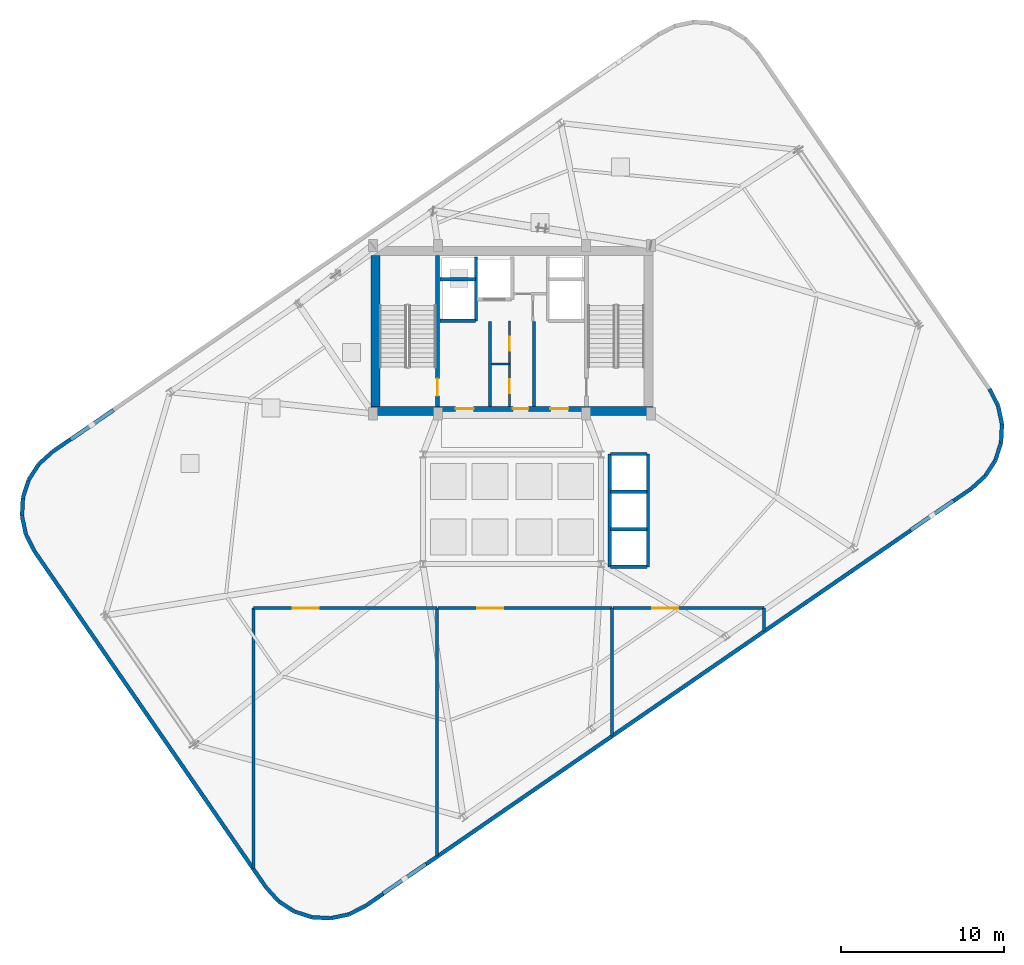
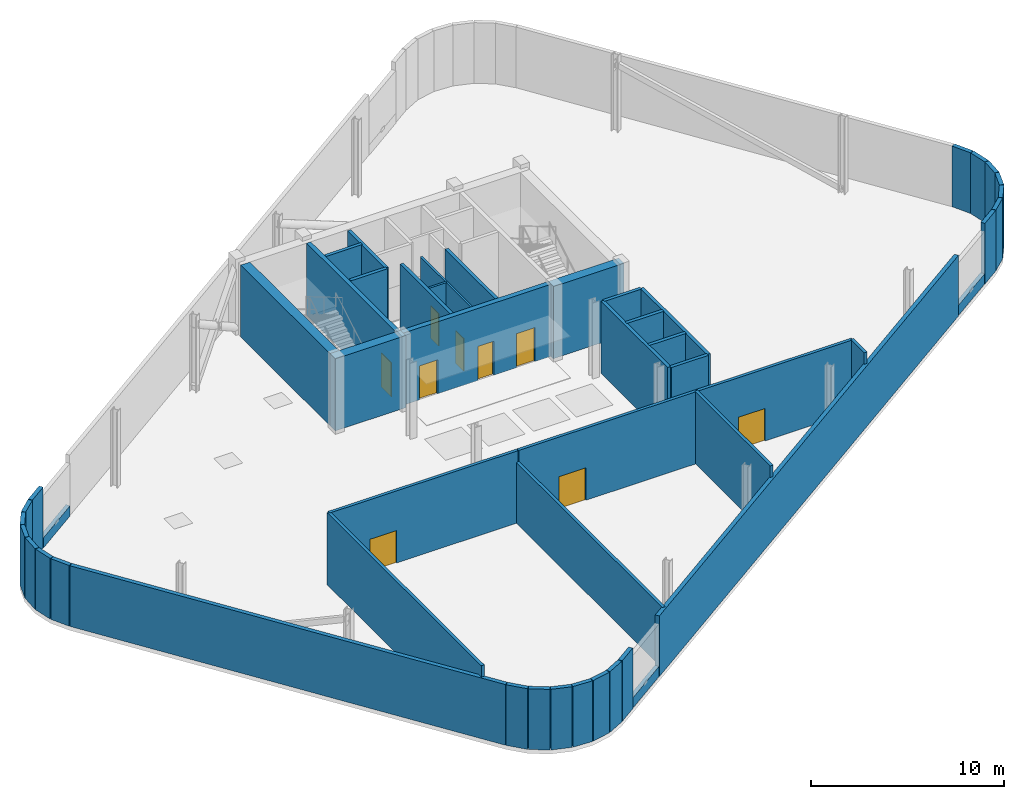
# One storey, part 6 of 9: 51 walls, 9 doors, 9 openings.
"""IFC4 building model written with IfcOpenShell, lengths in metres."""

from ifc_helpers import new_model, si_unit, direction, frame, frame_2d, origin, place, context, subcontext, project, spatial, rectangle, extrude, material, layer, layer_set, type_object, element, fill, save


model = new_model("IFC4")

# Units and contexts
model_context = context("Model", 3, precision=1e-05, world=origin(), true_north=direction((0.0, 1.0)))
body_context = subcontext(model_context, "Body", "Model", "MODEL_VIEW")
ifc_project = project(units=[si_unit("LENGTHUNIT", "METRE"), si_unit("AREAUNIT", "SQUARE_METRE"), si_unit("VOLUMEUNIT", "CUBIC_METRE"), si_unit("PLANEANGLEUNIT", "RADIAN"), si_unit("MASSUNIT", "GRAM", prefix="KILO")], contexts=[model_context])

# Site, building, storey
site_placement = place(None, origin())
site = spatial("IfcSite", under=ifc_project, at=site_placement, CompositionType="ELEMENT")
building_placement = place(site_placement, origin())
building = spatial("IfcBuilding", under=site, at=building_placement, Name="Varnelok Gate Tower", CompositionType="ELEMENT")
storey_placement = place(building_placement, frame((0.0, 0.0, 301.10009765625)))
storey = spatial("IfcBuildingStorey", under=building, at=storey_placement, Name="L77", CompositionType="ELEMENT", Elevation=301.10009765625)

# Walls
ifc_material_1 = material(Name="Concrete C45/55", Category="concrete")
ifc_layer_1 = layer(ifc_material_1, 0.239990234375)
ifc_layer_set_1 = layer_set([ifc_layer_1], Name="Concrete C45/55")
wall_type_1 = type_object("IfcWallType", Name="EW-PLANT-240", PredefinedType="SOLIDWALL", material=ifc_layer_set_1)
for number, where, z_axis, x_axis, name in (
    (1, (33.940673828125, 1.204345703125, 0.0), (0.0, 0.0, 1.0), (-0.823538491217, -0.567260393015, 0.0), "L77 Plant Louvre Sill Wall S1"),
    (2, (66.222900390625, 23.44140625, 0.0), (0.0, 0.0, 1.0), (-0.823538491217, -0.567260393015, 0.0), "L77 Plant Louvre Sill Wall S2"),
    (3, (12.177001953125, 27.15869140625, 0.0), (0.0, 0.0, 1.0), (0.823538491217, 0.567260393015, 0.0), "L77 Plant Louvre Sill Wall N1"),
):
    element("IfcWall", number, at=place(storey_placement, frame(where, z_axis=z_axis, x_axis=x_axis)), inside=storey, type_object=wall_type_1, Name=name, PredefinedType="SOLIDWALL", context=body_context, shape_type="SweptSolid", body=[
        extrude(rectangle(XDim=3.199951171875, YDim=0.239990234375, at=frame_2d((1.60009765625, 0.0))), origin(), (0.0, 0.0, 1.0), 0.64990234375),
    ])
wall_1_placement = place(storey_placement, frame((24.14990234375, -0.23583984375, 0.0), z_axis=(0.0, 0.0, 1.0), x_axis=(0.669796287773, -0.742544902942, 0.0)))
element("IfcWall", 4, at=wall_1_placement, inside=storey, type_object=wall_type_1, Name="L77 Perimeter Facade Closure Wall 1", PredefinedType="SOLIDWALL", context=body_context, shape_type="SweptSolid", body=[
    extrude(rectangle(XDim=1.151123046875, YDim=0.239990234375, at=frame_2d((0.57568359375, 0.0))), origin(), (0.0, 0.0, 1.0), 3.829833984375),
])
wall_2_placement = place(storey_placement, frame((24.94189453125, -1.10400390625, 0.0), z_axis=(0.0, 0.0, 1.0), x_axis=(0.839200958709, -0.54382143292, 0.0)))
element("IfcWall", 5, at=wall_2_placement, inside=storey, type_object=wall_type_1, Name="L77 Perimeter Facade Closure Wall 2", PredefinedType="SOLIDWALL", context=body_context, shape_type="SweptSolid", body=[
    extrude(rectangle(XDim=1.118408203125, YDim=0.239990234375, at=frame_2d((0.55908203125, 0.0))), origin(), (0.0, 0.0, 1.0), 3.829833984375),
])
for number, where, z_axis, x_axis, name in (
    (6, (25.904052734375, -1.7197265625, 0.0), (0.0, 0.0, 1.0), (0.951356078726, -0.308093510921, 0.0), "L77 Perimeter Facade Closure Wall 3"),
    (7, (26.992919921875, -2.0654296875, 0.0), (0.0, 0.0, 1.0), (0.998682791079, -0.051309675536, 0.0), "L77 Perimeter Facade Closure Wall 4"),
):
    element("IfcWall", number, at=place(storey_placement, frame(where, z_axis=z_axis, x_axis=x_axis)), inside=storey, type_object=wall_type_1, Name=name, PredefinedType="SOLIDWALL", context=body_context, shape_type="SweptSolid", body=[
        extrude(rectangle(XDim=1.1181640625, YDim=0.239990234375, at=frame_2d((0.55908203125, 0.0))), origin(), (0.0, 0.0, 1.0), 3.829833984375),
    ])
wall_3_placement = place(storey_placement, frame((28.1337890625, -2.11767578125, 0.0), z_axis=(0.0, 0.0, 1.0), x_axis=(0.977936381717, 0.208902927969, 0.0)))
element("IfcWall", 8, at=wall_3_placement, inside=storey, type_object=wall_type_1, Name="L77 Perimeter Facade Closure Wall 5", PredefinedType="SOLIDWALL", context=body_context, shape_type="SweptSolid", body=[
    extrude(rectangle(XDim=1.118408203125, YDim=0.239990234375, at=frame_2d((0.55908203125, 0.0))), origin(), (0.0, 0.0, 1.0), 3.829833984375),
])
wall_4_placement = place(storey_placement, frame((29.249755859375, -1.872802734375, 0.0), z_axis=(0.0, 0.0, 1.0), x_axis=(0.890446396874, 0.45508813904, 0.0)))
element("IfcWall", 9, at=wall_4_placement, inside=storey, type_object=wall_type_1, Name="L77 Perimeter Facade Closure Wall 6", PredefinedType="SOLIDWALL", context=body_context, shape_type="SweptSolid", body=[
    extrude(rectangle(XDim=1.1259765625, YDim=0.239990234375, at=frame_2d((0.56298828125, 0.0))), origin(), (0.0, 0.0, 1.0), 3.829833984375),
])
wall_5_placement = place(storey_placement, frame((30.273193359375, -1.34619140625, 0.0), z_axis=(0.0, 0.0, 1.0), x_axis=(0.823445590054, 0.567395241626, 0.0)))
element("IfcWall", 10, at=wall_5_placement, inside=storey, type_object=wall_type_1, Name="L77 Perimeter Facade Closure Wall 7", PredefinedType="SOLIDWALL", context=body_context, shape_type="SweptSolid", body=[
    extrude(rectangle(XDim=1.26708984375, YDim=0.239990234375, at=frame_2d((0.633544921875, 0.0))), origin(), (0.0, 0.0, 1.0), 3.829833984375),
])
wall_6_placement = place(storey_placement, frame((33.951904296875, 1.18798828125, 0.0), z_axis=(0.0, 0.0, 1.0), x_axis=(0.823534980344, 0.567265490005, 0.0)))
element("IfcWall", 11, at=wall_6_placement, inside=storey, type_object=wall_type_1, Name="L77 Perimeter Facade Closure Wall 8", PredefinedType="SOLIDWALL", context=body_context, shape_type="SweptSolid", body=[
    extrude(rectangle(XDim=36.010009765625, YDim=0.239990234375, at=frame_2d((18.0048828125, 0.0))), origin(), (0.0, 0.0, 1.0), 3.829833984375),
])
wall_7_placement = place(storey_placement, frame((66.22607421875, 23.419189453125, 0.0), z_axis=(0.0, 0.0, 1.0), x_axis=(0.823532901034, 0.567268508657, 0.0)))
element("IfcWall", 12, at=wall_7_placement, inside=storey, type_object=wall_type_1, Name="L77 Perimeter Facade Closure Wall 9", PredefinedType="SOLIDWALL", context=body_context, shape_type="SweptSolid", body=[
    extrude(rectangle(XDim=1.30224609375, YDim=0.239990234375, at=frame_2d((0.651123046875, 0.0))), origin(), (0.0, 0.0, 1.0), 3.829833984375),
])
wall_8_placement = place(storey_placement, frame((67.317138671875, 24.174560546875, 0.0), z_axis=(0.0, 0.0, 1.0), x_axis=(0.742485154891, 0.669862519303, 0.0)))
element("IfcWall", 13, at=wall_8_placement, inside=storey, type_object=wall_type_1, Name="L77 Perimeter Facade Closure Wall 10", PredefinedType="SOLIDWALL", context=body_context, shape_type="SweptSolid", body=[
    extrude(rectangle(XDim=1.126220703125, YDim=0.239990234375, at=frame_2d((0.56298828125, 0.0))), origin(), (0.0, 0.0, 1.0), 3.829833984375),
])
for number, where, z_axis, x_axis, name in (
    (14, (68.166748046875, 24.949951171875, 0.0), (0.0, 0.0, 1.0), (0.543667655746, 0.839300589834, 0.0), "L77 Perimeter Facade Closure Wall 11"),
    (15, (68.782470703125, 25.912109375, 0.0), (0.0, 0.0, 1.0), (0.308093510921, 0.951356078726, 0.0), "L77 Perimeter Facade Closure Wall 12"),
):
    element("IfcWall", number, at=place(storey_placement, frame(where, z_axis=z_axis, x_axis=x_axis)), inside=storey, type_object=wall_type_1, Name=name, PredefinedType="SOLIDWALL", context=body_context, shape_type="SweptSolid", body=[
        extrude(rectangle(XDim=1.1181640625, YDim=0.239990234375, at=frame_2d((0.55908203125, 0.0))), origin(), (0.0, 0.0, 1.0), 3.829833984375),
    ])
wall_9_placement = place(storey_placement, frame((69.128173828125, 27.0009765625, 0.0), z_axis=(0.0, 0.0, 1.0), x_axis=(0.051103050995, 0.998693385469, 0.0)))
element("IfcWall", 16, at=wall_9_placement, inside=storey, type_object=wall_type_1, Name="L77 Perimeter Facade Closure Wall 13", PredefinedType="SOLIDWALL", context=body_context, shape_type="SweptSolid", body=[
    extrude(rectangle(XDim=1.117919921875, YDim=0.239990234375, at=frame_2d((0.55908203125, 0.0))), origin(), (0.0, 0.0, 1.0), 3.829833984375),
])
wall_10_placement = place(storey_placement, frame((69.18017578125, 28.141845703125, 0.0), z_axis=(0.0, 0.0, 1.0), x_axis=(-0.208902927969, 0.977936381717, 0.0)))
element("IfcWall", 17, at=wall_10_placement, inside=storey, type_object=wall_type_1, Name="L77 Perimeter Facade Closure Wall 14", PredefinedType="SOLIDWALL", context=body_context, shape_type="SweptSolid", body=[
    extrude(rectangle(XDim=1.118408203125, YDim=0.239990234375, at=frame_2d((0.55908203125, 0.0))), origin(), (0.0, 0.0, 1.0), 3.829833984375),
])
wall_11_placement = place(storey_placement, frame((68.935302734375, 29.2578125, 0.0), z_axis=(0.0, 0.0, 1.0), x_axis=(-0.45508813904, 0.890446396874, 0.0)))
element("IfcWall", 18, at=wall_11_placement, inside=storey, type_object=wall_type_1, Name="L77 Perimeter Facade Closure Wall 15", PredefinedType="SOLIDWALL", context=body_context, shape_type="SweptSolid", body=[
    extrude(rectangle(XDim=1.1259765625, YDim=0.239990234375, at=frame_2d((0.56298828125, 0.0))), origin(), (0.0, 0.0, 1.0), 3.829833984375),
])
wall_12_placement = place(storey_placement, frame((12.173828125, 27.180908203125, 0.0), z_axis=(0.0, 0.0, 1.0), x_axis=(-0.823532901034, -0.567268508657, 0.0)))
element("IfcWall", 19, at=wall_12_placement, inside=storey, type_object=wall_type_1, Name="L77 Perimeter Facade Closure Wall 25", PredefinedType="SOLIDWALL", context=body_context, shape_type="SweptSolid", body=[
    extrude(rectangle(XDim=1.30224609375, YDim=0.239990234375, at=frame_2d((0.651123046875, 0.0))), origin(), (0.0, 0.0, 1.0), 3.829833984375),
])
wall_13_placement = place(storey_placement, frame((11.0830078125, 26.42529296875, 0.0), z_axis=(0.0, 0.0, 1.0), x_axis=(-0.742592981257, -0.66974298368, 0.0)))
element("IfcWall", 20, at=wall_13_placement, inside=storey, type_object=wall_type_1, Name="L77 Perimeter Facade Closure Wall 26", PredefinedType="SOLIDWALL", context=body_context, shape_type="SweptSolid", body=[
    extrude(rectangle(XDim=1.1259765625, YDim=0.239990234375, at=frame_2d((0.56298828125, 0.0))), origin(), (0.0, 0.0, 1.0), 3.829833984375),
])
for number, where, z_axis, x_axis, name in (
    (21, (10.233154296875, 25.650146484375, 0.0), (0.0, 0.0, 1.0), (-0.543667655746, -0.839300589834, 0.0), "L77 Perimeter Facade Closure Wall 27"),
    (22, (9.61767578125, 24.687744140625, 0.0), (0.0, 0.0, 1.0), (-0.308093510921, -0.951356078726, 0.0), "L77 Perimeter Facade Closure Wall 28"),
    (23, (9.27197265625, 23.59912109375, 0.0), (0.0, 0.0, 1.0), (-0.051309675536, -0.998682791079, 0.0), "L77 Perimeter Facade Closure Wall 29"),
    (24, (9.2197265625, 22.4580078125, 0.0), (0.0, 0.0, 1.0), (0.208947532433, -0.977926852423, 0.0), "L77 Perimeter Facade Closure Wall 30"),
):
    element("IfcWall", number, at=place(storey_placement, frame(where, z_axis=z_axis, x_axis=x_axis)), inside=storey, type_object=wall_type_1, Name=name, PredefinedType="SOLIDWALL", context=body_context, shape_type="SweptSolid", body=[
        extrude(rectangle(XDim=1.1181640625, YDim=0.239990234375, at=frame_2d((0.55908203125, 0.0))), origin(), (0.0, 0.0, 1.0), 3.829833984375),
    ])
wall_14_placement = place(storey_placement, frame((9.464599609375, 21.34228515625, 0.0), z_axis=(0.0, 0.0, 1.0), x_axis=(0.45508813904, -0.890446396874, 0.0)))
element("IfcWall", 25, at=wall_14_placement, inside=storey, type_object=wall_type_1, Name="L77 Perimeter Facade Closure Wall 31", PredefinedType="SOLIDWALL", context=body_context, shape_type="SweptSolid", body=[
    extrude(rectangle(XDim=1.1259765625, YDim=0.239990234375, at=frame_2d((0.56298828125, 0.0))), origin(), (0.0, 0.0, 1.0), 3.829833984375),
])
wall_15_placement = place(storey_placement, frame((9.9912109375, 20.31884765625, 0.0), z_axis=(0.0, 0.0, 1.0), x_axis=(0.567271592362, -0.823530776898, 0.0)))
element("IfcWall", 26, at=wall_15_placement, inside=storey, type_object=wall_type_1, Name="L77 Perimeter Facade Closure Wall 32", PredefinedType="SOLIDWALL", context=body_context, shape_type="SweptSolid", body=[
    extrude(rectangle(XDim=24.934326171875, YDim=0.239990234375, at=frame_2d((12.46728515625, 0.0))), origin(), (0.0, 0.0, 1.0), 3.829833984375),
])

# Wall, opening, door
ifc_material_2 = material(Name="Gypsum Plasterboard Acoustic Partition", Category="gypsum")
ifc_layer_2 = layer(ifc_material_2, 0.179931640625)
ifc_layer_set_2 = layer_set([ifc_layer_2], Name="Gypsum Plasterboard Acoustic Partition")
wall_type_2 = type_object("IfcWallType", Name="PW-CORR-180", PredefinedType="PARTITIONING", material=ifc_layer_set_2)
wall_16_placement = place(storey_placement, frame((23.3798828125, 16.85009765625, 0.0), z_axis=(0.0, 0.0, 1.0), x_axis=(1.0, 0.0, 0.0)))
wall_16 = element("IfcWall", 27, at=wall_16_placement, inside=storey, type_object=wall_type_2, Name="Interior Partition", PredefinedType="PARTITIONING", context=body_context, shape_type="SweptSolid", body=[
    extrude(rectangle(XDim=11.240234375, YDim=0.179931640625, at=frame_2d((5.6201171875, 0.0))), origin(), (0.0, 0.0, 1.0), 4.5498046875),
])
opening_1_placement = place(wall_16_placement, frame((2.39990234375, 0.0, 0.0)))
opening_1 = element("IfcOpeningElement", 28, at=opening_1_placement, cuts=wall_16, Name="Opening D-PL", PredefinedType="OPENING", context=body_context, shape_type="SweptSolid", body=[
    extrude(rectangle(XDim=1.60009765625, YDim=2.050048828125, at=frame_2d((0.800048828125, 1.02490234375))), frame((0.0, 0.099853515625, 0.0), z_axis=(0.0, -1.0, 0.0), x_axis=(1.0, 0.0, 0.0)), (0.0, 0.0, 1.0), 0.199951171875),
])
ifc_material_3 = material(Name="Galvanized Steel Grade S350GD", Category="steel")
door_type_1 = type_object("IfcDoorType", Name="DR-PLANT-1600", OperationType="DOUBLE_DOOR_SINGLE_SWING", PredefinedType="DOOR", material=ifc_material_3)
door_1_placement = place(opening_1_placement, origin())
door_1 = element("IfcDoor", 29, at=door_1_placement, inside=storey, type_object=door_type_1, Name="L77 Mechanical Plant Bay 1 Double Door", OperationType="DOUBLE_DOOR_SINGLE_SWING", OverallHeight=2.050048828125, OverallWidth=1.60009765625, PredefinedType="DOOR", context=body_context, shape_type="SweptSolid", body=[
    extrude(rectangle(XDim=1.60009765625, YDim=2.050048828125, at=frame_2d((0.800048828125, 1.02490234375))), frame((0.0, 0.02490234375, 0.0), z_axis=(0.0, -1.0, 0.0), x_axis=(1.0, 0.0, 0.0)), (0.0, 0.0, 1.0), 0.050048828125),
])
fill(opening_1, door_1)

# Walls
wall_17_placement = place(storey_placement, frame((34.6201171875, 1.67236328125, 0.0), z_axis=(0.0, 0.0, 1.0), x_axis=(0.0, 1.0, 0.0)))
element("IfcWall", 30, at=wall_17_placement, inside=storey, type_object=wall_type_2, Name="Interior Partition", PredefinedType="PARTITIONING", context=body_context, shape_type="SweptSolid", body=[
    extrude(rectangle(XDim=15.177734375, YDim=0.179931640625, at=frame_2d((7.5888671875, 0.0))), origin(), (0.0, 0.0, 1.0), 3.8388671875),
])
wall_18_placement = place(storey_placement, frame((23.3798828125, 0.9169921875, 0.0), z_axis=(0.0, 0.0, 1.0), x_axis=(0.0, 1.0, 0.0)))
element("IfcWall", 31, at=wall_18_placement, inside=storey, type_object=wall_type_2, Name="Interior Partition", PredefinedType="PARTITIONING", context=body_context, shape_type="SweptSolid", body=[
    extrude(rectangle(XDim=15.93310546875, YDim=0.179931640625, at=frame_2d((7.966552734375, 0.0))), origin(), (0.0, 0.0, 1.0), 4.5498046875),
])

# Wall, opening, door
wall_19_placement = place(storey_placement, frame((34.679931640625, 16.85009765625, 0.0), z_axis=(0.0, 0.0, 1.0), x_axis=(1.0, 0.0, 0.0)))
wall_19 = element("IfcWall", 32, at=wall_19_placement, inside=storey, type_object=wall_type_2, Name="Interior Partition", PredefinedType="PARTITIONING", context=body_context, shape_type="SweptSolid", body=[
    extrude(rectangle(XDim=10.64013671875, YDim=0.179931640625, at=frame_2d((5.320068359375, 0.0))), origin(), (0.0, 0.0, 1.0), 4.5498046875),
])
opening_2_placement = place(wall_19_placement, frame((2.39990234375, 0.0, 0.0)))
opening_2 = element("IfcOpeningElement", 33, at=opening_2_placement, cuts=wall_19, Name="Opening D-PL", PredefinedType="OPENING", context=body_context, shape_type="SweptSolid", body=[
    extrude(rectangle(XDim=1.60009765625, YDim=2.050048828125, at=frame_2d((0.800048828125, 1.02490234375))), frame((0.0, 0.099853515625, 0.0), z_axis=(0.0, -1.0, 0.0), x_axis=(1.0, 0.0, 0.0)), (0.0, 0.0, 1.0), 0.199951171875),
])
door_2_placement = place(opening_2_placement, origin())
door_2 = element("IfcDoor", 34, at=door_2_placement, inside=storey, type_object=door_type_1, Name="L77 Mechanical Plant Bay 2 Double Door", OperationType="DOUBLE_DOOR_SINGLE_SWING", OverallHeight=2.050048828125, OverallWidth=1.60009765625, PredefinedType="DOOR", context=body_context, shape_type="SweptSolid", body=[
    extrude(rectangle(XDim=1.60009765625, YDim=2.050048828125, at=frame_2d((0.800048828125, 1.02490234375))), frame((0.0, 0.02490234375, 0.0), z_axis=(0.0, -1.0, 0.0), x_axis=(1.0, 0.0, 0.0)), (0.0, 0.0, 1.0), 0.050048828125),
])
fill(opening_2, door_2)

# Wall
wall_20_placement = place(storey_placement, frame((45.320068359375, 9.042724609375, 0.0), z_axis=(0.0, 0.0, 1.0), x_axis=(0.0, 1.0, 0.0)))
element("IfcWall", 35, at=wall_20_placement, inside=storey, type_object=wall_type_2, Name="Interior Partition", PredefinedType="PARTITIONING", context=body_context, shape_type="SweptSolid", body=[
    extrude(rectangle(XDim=7.807373046875, YDim=0.179931640625, at=frame_2d((3.90380859375, 0.0))), origin(), (0.0, 0.0, 1.0), 4.5498046875),
])

# Wall, opening, door
wall_21_placement = place(storey_placement, frame((45.3798828125, 16.85009765625, 0.0), z_axis=(0.0, 0.0, 1.0), x_axis=(1.0, 0.0, 0.0)))
wall_21 = element("IfcWall", 36, at=wall_21_placement, inside=storey, type_object=wall_type_2, Name="Interior Partition", PredefinedType="PARTITIONING", context=body_context, shape_type="SweptSolid", body=[
    extrude(rectangle(XDim=9.240234375, YDim=0.179931640625, at=frame_2d((4.6201171875, 0.0))), origin(), (0.0, 0.0, 1.0), 4.5498046875),
])
opening_3_placement = place(wall_21_placement, frame((2.39990234375, 0.0, 0.0)))
opening_3 = element("IfcOpeningElement", 37, at=opening_3_placement, cuts=wall_21, Name="Opening D-PL", PredefinedType="OPENING", context=body_context, shape_type="SweptSolid", body=[
    extrude(rectangle(XDim=1.60009765625, YDim=2.050048828125, at=frame_2d((0.800048828125, 1.02490234375))), frame((0.0, 0.099853515625, 0.0), z_axis=(0.0, -1.0, 0.0), x_axis=(1.0, 0.0, 0.0)), (0.0, 0.0, 1.0), 0.199951171875),
])
door_3_placement = place(opening_3_placement, origin())
door_3 = element("IfcDoor", 38, at=door_3_placement, inside=storey, type_object=door_type_1, Name="L77 Mechanical Plant Bay 3 Double Door", OperationType="DOUBLE_DOOR_SINGLE_SWING", OverallHeight=2.050048828125, OverallWidth=1.60009765625, PredefinedType="DOOR", context=body_context, shape_type="SweptSolid", body=[
    extrude(rectangle(XDim=1.60009765625, YDim=2.050048828125, at=frame_2d((0.800048828125, 1.02490234375))), frame((0.0, 0.02490234375, 0.0), z_axis=(0.0, -1.0, 0.0), x_axis=(1.0, 0.0, 0.0)), (0.0, 0.0, 1.0), 0.050048828125),
])
fill(opening_3, door_3)

# Walls
wall_22_placement = place(storey_placement, frame((54.6201171875, 15.448974609375, 0.0), z_axis=(0.0, 0.0, 1.0), x_axis=(0.0, 1.0, 0.0)))
element("IfcWall", 39, at=wall_22_placement, inside=storey, type_object=wall_type_2, Name="Interior Partition", PredefinedType="PARTITIONING", context=body_context, shape_type="SweptSolid", body=[
    extrude(rectangle(XDim=1.401123046875, YDim=0.179931640625, at=frame_2d((0.70068359375, 0.0))), origin(), (0.0, 0.0, 1.0), 4.5498046875),
])
ifc_layer_3 = layer(ifc_material_2, 0.125)
ifc_layer_set_3 = layer_set([ifc_layer_3], Name="Gypsum Plasterboard Acoustic Partition")
wall_type_3 = type_object("IfcWallType", Name="PW-PART-125", PredefinedType="PARTITIONING", material=ifc_layer_set_3)
wall_23_placement = place(storey_placement, frame((37.9599609375, 31.800048828125, 0.0), z_axis=(0.0, 0.0, 1.0), x_axis=(1.0, 0.0, 0.0)))
element("IfcWall", 40, at=wall_23_placement, inside=storey, type_object=wall_type_3, Name="Interior Partition", PredefinedType="PARTITIONING", context=body_context, shape_type="SweptSolid", body=[
    extrude(rectangle(XDim=1.090087890625, YDim=0.125, at=frame_2d((0.544921875, 0.0))), origin(), (0.0, 0.0, 1.0), 4.5498046875),
])

# Wall, openings, doors
wall_24_placement = place(storey_placement, frame((39.050048828125, 29.199951171875, 0.0), z_axis=(0.0, 0.0, 1.0), x_axis=(0.0, 1.0, 0.0)))
wall_24 = element("IfcWall", 41, at=wall_24_placement, inside=storey, type_object=wall_type_3, Name="Interior Partition", PredefinedType="PARTITIONING", context=body_context, shape_type="SweptSolid", body=[
    extrude(rectangle(XDim=5.219970703125, YDim=0.125, at=frame_2d((2.60986328125, 0.0))), origin(), (0.0, 0.0, 1.0), 4.5498046875),
])
opening_4_placement = place(wall_24_placement, frame((0.800048828125, 0.0, 0.0)))
opening_4 = element("IfcOpeningElement", 42, at=opening_4_placement, cuts=wall_24, Name="Opening D-RS", PredefinedType="OPENING", context=body_context, shape_type="SweptSolid", body=[
    extrude(rectangle(XDim=0.85009765625, YDim=2.050048828125, at=frame_2d((0.425048828125, 1.02490234375))), frame((0.0, 0.072509765625, 0.0), z_axis=(0.0, -1.0, 0.0), x_axis=(1.0, 0.0, 0.0)), (0.0, 0.0, 1.0), 0.14501953125),
])
opening_5_placement = place(wall_24_placement, frame((3.39990234375, 0.0, 0.0)))
opening_5 = element("IfcOpeningElement", 43, at=opening_5_placement, cuts=wall_24, Name="Opening D-RS", PredefinedType="OPENING", context=body_context, shape_type="SweptSolid", body=[
    extrude(rectangle(XDim=0.85009765625, YDim=2.050048828125, at=frame_2d((0.425048828125, 1.02490234375))), frame((0.0, 0.072509765625, 0.0), z_axis=(0.0, -1.0, 0.0), x_axis=(1.0, 0.0, 0.0)), (0.0, 0.0, 1.0), 0.14501953125),
])
door_type_2 = type_object("IfcDoorType", Name="DR-RISER-850", OperationType="NOTDEFINED", PredefinedType="DOOR", material=ifc_material_3)
door_4_placement = place(opening_4_placement, origin())
door_4 = element("IfcDoor", 44, at=door_4_placement, inside=storey, type_object=door_type_2, Name="L77 Housekeeping Linen Door", OperationType="SINGLE_SWING_LEFT", OverallHeight=2.050048828125, OverallWidth=0.85009765625, PredefinedType="DOOR", context=body_context, shape_type="SweptSolid", body=[
    extrude(rectangle(XDim=0.85009765625, YDim=2.050048828125, at=frame_2d((0.425048828125, 1.02490234375))), frame((0.0, 0.02490234375, 0.0), z_axis=(0.0, -1.0, 0.0), x_axis=(1.0, 0.0, 0.0)), (0.0, 0.0, 1.0), 0.050048828125),
])
fill(opening_4, door_4)
door_5_placement = place(opening_5_placement, origin())
door_5 = element("IfcDoor", 45, at=door_5_placement, inside=storey, type_object=door_type_2, Name="L77 Janitor Sink Door", OperationType="SINGLE_SWING_RIGHT", OverallHeight=2.050048828125, OverallWidth=0.85009765625, PredefinedType="DOOR", context=body_context, shape_type="SweptSolid", body=[
    extrude(rectangle(XDim=0.85009765625, YDim=2.050048828125, at=frame_2d((0.425048828125, 1.02490234375))), frame((0.0, 0.02490234375, 0.0), z_axis=(0.0, -1.0, 0.0), x_axis=(1.0, 0.0, 0.0)), (0.0, 0.0, 1.0), 0.050048828125),
])
fill(opening_5, door_5)

# Walls
ifc_material_4 = material(Name="Concrete C35/45", Category="concrete")
ifc_layer_4 = layer(ifc_material_4, 0.199951171875)
ifc_layer_set_4 = layer_set([ifc_layer_4], Name="Concrete C35/45")
wall_type_4 = type_object("IfcWallType", Name="PW-SHAFT-200", PredefinedType="PARTITIONING", material=ifc_layer_set_4)
for number, where, z_axis, x_axis, name in (
    (46, (37.860107421875, 29.199951171875, 0.0), (0.0, 0.0, 1.0), (0.0, 1.0, 0.0), "L77 West FF Lobby Rated Wall"),
    (47, (40.5400390625, 29.199951171875, 0.0), (0.0, 0.0, 1.0), (0.0, 1.0, 0.0), "L77 East FF Lobby Rated Wall"),
):
    element("IfcWall", number, at=place(storey_placement, frame(where, z_axis=z_axis, x_axis=x_axis)), inside=storey, type_object=wall_type_4, Name=name, PredefinedType="PARTITIONING", context=body_context, shape_type="SweptSolid", body=[
        extrude(rectangle(XDim=5.179931640625, YDim=0.199951171875, at=frame_2d((2.58984375, 0.0))), origin(), (0.0, 0.0, 1.0), 4.5498046875),
    ])
for number, where, z_axis, x_axis, name in (
    (48, (34.800048828125, 34.43994140625, 0.0), (0.0, 0.0, 1.0), (1.0, 0.0, 0.0), "L77 FF1 Shaft Front Wall"),
    (49, (34.800048828125, 36.97998046875, 0.0), (0.0, 0.0, 1.0), (1.0, 0.0, 0.0), "L77 FF1 Shaft North Wall"),
):
    element("IfcWall", number, at=place(storey_placement, frame(where, z_axis=z_axis, x_axis=x_axis)), inside=storey, type_object=wall_type_4, Name=name, PredefinedType="PARTITIONING", context=body_context, shape_type="SweptSolid", body=[
        extrude(rectangle(XDim=2.179931640625, YDim=0.199951171875, at=frame_2d((1.08984375, 0.0))), origin(), (0.0, 0.0, 1.0), 4.5498046875),
    ])
wall_25_placement = place(storey_placement, frame((37.0, 34.43994140625, 0.0), z_axis=(0.0, 0.0, 1.0), x_axis=(0.0, 1.0, 0.0)))
element("IfcWall", 50, at=wall_25_placement, inside=storey, type_object=wall_type_4, Name="L77 FF1 Shaft Side Wall", PredefinedType="PARTITIONING", context=body_context, shape_type="SweptSolid", body=[
    extrude(rectangle(XDim=3.900146484375, YDim=0.199951171875, at=frame_2d((1.9501953125, 0.0))), origin(), (0.0, 0.0, 1.0), 4.5498046875),
])
for number, where, z_axis, x_axis, name in (
    (51, (45.239990234375, 21.675048828125, 0.0), (0.0, 0.0, 1.0), (1.0, 0.0, 0.0), "L77 PH1 Divider"),
    (52, (45.239990234375, 23.97509765625, 0.0), (0.0, 0.0, 1.0), (1.0, 0.0, 0.0), "L77 PH2 Divider"),
    (53, (45.239990234375, 19.3798828125, 0.0), (0.0, 0.0, 1.0), (1.0, 0.0, 0.0), "L77 PH Bank South Wall"),
    (54, (45.239990234375, 26.280029296875, 0.0), (0.0, 0.0, 1.0), (1.0, 0.0, 0.0), "L77 PH Bank North Wall"),
):
    element("IfcWall", number, at=place(storey_placement, frame(where, z_axis=z_axis, x_axis=x_axis)), inside=storey, type_object=wall_type_4, Name=name, PredefinedType="PARTITIONING", context=body_context, shape_type="SweptSolid", body=[
        extrude(rectangle(XDim=2.219970703125, YDim=0.199951171875, at=frame_2d((1.10986328125, 0.0))), origin(), (0.0, 0.0, 1.0), 4.5498046875),
    ])
for number, where, z_axis, x_axis, name in (
    (55, (45.179931640625, 19.3798828125, 0.0), (0.0, 0.0, 1.0), (0.0, 1.0, 0.0), "L77 PH Bank Atrium Wall"),
    (56, (47.52001953125, 19.3798828125, 0.0), (0.0, 0.0, 1.0), (0.0, 1.0, 0.0), "L77 PH Bank Front Wall"),
):
    element("IfcWall", number, at=place(storey_placement, frame(where, z_axis=z_axis, x_axis=x_axis)), inside=storey, type_object=wall_type_4, Name=name, PredefinedType="PARTITIONING", context=body_context, shape_type="SweptSolid", body=[
        extrude(rectangle(XDim=6.900146484375, YDim=0.199951171875, at=frame_2d((3.4501953125, 0.0))), origin(), (0.0, 0.0, 1.0), 4.5498046875),
    ])
ifc_material_5 = material(Name="Concrete C60/75", Category="concrete")
ifc_layer_5 = layer(ifc_material_5, 0.550048828125)
ifc_layer_set_5 = layer_set([ifc_layer_5], Name="Concrete C60/75")
wall_type_5 = type_object("IfcWallType", Name="SW-CORE-550", PredefinedType="SHEAR", material=ifc_layer_set_5)
wall_26_placement = place(storey_placement, frame((30.85498046875, 29.199951171875, 0.0), z_axis=(0.0, 0.0, 1.0), x_axis=(0.0, 1.0, 0.0)))
element("IfcWall", 57, at=wall_26_placement, inside=storey, type_object=wall_type_5, Name="L77 Rear Core West Shear Wall", PredefinedType="SHEAR", context=body_context, shape_type="SweptSolid", body=[
    extrude(rectangle(XDim=9.219970703125, YDim=0.550048828125, at=frame_2d((4.60986328125, 0.0))), origin(), (0.0, 0.0, 1.0), 4.5498046875),
])
for number, where, z_axis, x_axis, name in (
    (58, (30.580078125, 28.925048828125, 0.0), (0.0, 0.0, 1.0), (1.0, 0.0, 0.0), "L77 Rear Core South-West Shear Wall"),
    (59, (43.60009765625, 28.925048828125, 0.0), (0.0, 0.0, 1.0), (1.0, 0.0, 0.0), "L77 Rear Core South-East Shear Wall"),
):
    element("IfcWall", number, at=place(storey_placement, frame(where, z_axis=z_axis, x_axis=x_axis)), inside=storey, type_object=wall_type_5, Name=name, PredefinedType="SHEAR", context=body_context, shape_type="SweptSolid", body=[
        extrude(rectangle(XDim=4.219970703125, YDim=0.550048828125, at=frame_2d((2.10986328125, 0.0))), origin(), (0.0, 0.0, 1.0), 4.5498046875),
    ])

# Wall, opening, door
ifc_layer_6 = layer(ifc_material_5, 0.25)
ifc_layer_set_6 = layer_set([ifc_layer_6], Name="Concrete C60/75")
wall_type_6 = type_object("IfcWallType", Name="SW-SHAFT-250", PredefinedType="SHEAR", material=ifc_layer_set_6)
wall_27_placement = place(storey_placement, frame((34.639892578125, 29.199951171875, 0.0), z_axis=(0.0, 0.0, 1.0), x_axis=(0.0, 1.0, 0.0)))
wall_27 = element("IfcWall", 60, at=wall_27_placement, inside=storey, type_object=wall_type_6, Name="L77 Stair ST-1 East Shear Wall", PredefinedType="SHEAR", context=body_context, shape_type="SweptSolid", body=[
    extrude(rectangle(XDim=9.219970703125, YDim=0.25, at=frame_2d((4.60986328125, 0.0))), origin(), (0.0, 0.0, 1.0), 4.5498046875),
])
opening_6_placement = place(wall_27_placement, frame((0.64990234375, 0.0, 0.0)))
opening_6 = element("IfcOpeningElement", 61, at=opening_6_placement, cuts=wall_27, Name="Opening D-ST", PredefinedType="OPENING", context=body_context, shape_type="SweptSolid", body=[
    extrude(rectangle(XDim=1.050048828125, YDim=2.14990234375, at=frame_2d((0.52490234375, 1.074951171875))), frame((0.0, 0.135009765625, 0.0), z_axis=(0.0, -1.0, 0.0), x_axis=(1.0, 0.0, 0.0)), (0.0, 0.0, 1.0), 0.27001953125),
])
door_type_3 = type_object("IfcDoorType", Name="DR-STAIR-1050", OperationType="NOTDEFINED", PredefinedType="DOOR", material=ifc_material_3)
door_6_placement = place(opening_6_placement, origin())
door_6 = element("IfcDoor", 62, at=door_6_placement, inside=storey, type_object=door_type_3, Name="L77 Exit Stair ST-1 Fire Door", OperationType="SINGLE_SWING_LEFT", OverallHeight=2.14990234375, OverallWidth=1.050048828125, PredefinedType="DOOR", context=body_context, shape_type="SweptSolid", body=[
    extrude(rectangle(XDim=1.050048828125, YDim=2.14990234375, at=frame_2d((0.52490234375, 1.074951171875))), frame((0.0, 0.02490234375, 0.0), z_axis=(0.0, -1.0, 0.0), x_axis=(1.0, 0.0, 0.0)), (0.0, 0.0, 1.0), 0.050048828125),
])
fill(opening_6, door_6)

# Wall, openings, doors
ifc_layer_7 = layer(ifc_material_5, 0.300048828125)
ifc_layer_set_7 = layer_set([ifc_layer_7], Name="Concrete C60/75")
wall_type_7 = type_object("IfcWallType", Name="SW-SHAFT-300", PredefinedType="SHEAR", material=ifc_layer_set_7)
wall_28_placement = place(storey_placement, frame((34.800048828125, 29.050048828125, 0.0), z_axis=(0.0, 0.0, 1.0), x_axis=(1.0, 0.0, 0.0)))
wall_28 = element("IfcWall", 63, at=wall_28_placement, inside=storey, type_object=wall_type_7, Name="L77 Rear Core Central Lobby Shear Wall", PredefinedType="SHEAR", context=body_context, shape_type="SweptSolid", body=[
    extrude(rectangle(XDim=8.800048828125, YDim=0.300048828125, at=frame_2d((4.39990234375, 0.0))), origin(), (0.0, 0.0, 1.0), 4.5498046875),
])
opening_7_placement = place(wall_28_placement, frame((0.949951171875, 0.0, 0.0)))
opening_7 = element("IfcOpeningElement", 64, at=opening_7_placement, cuts=wall_28, Name="Opening D-FF", PredefinedType="OPENING", context=body_context, shape_type="SweptSolid", body=[
    extrude(rectangle(XDim=1.10009765625, YDim=2.14990234375, at=frame_2d((0.550048828125, 1.074951171875))), frame((0.0, 0.159912109375, 0.0), z_axis=(0.0, -1.0, 0.0), x_axis=(1.0, 0.0, 0.0)), (0.0, 0.0, 1.0), 0.320068359375),
])
opening_8_placement = place(wall_28_placement, frame((6.75, 0.0, 0.0)))
opening_8 = element("IfcOpeningElement", 65, at=opening_8_placement, cuts=wall_28, Name="Opening D-FF", PredefinedType="OPENING", context=body_context, shape_type="SweptSolid", body=[
    extrude(rectangle(XDim=1.10009765625, YDim=2.14990234375, at=frame_2d((0.550048828125, 1.074951171875))), frame((0.0, 0.159912109375, 0.0), z_axis=(0.0, -1.0, 0.0), x_axis=(1.0, 0.0, 0.0)), (0.0, 0.0, 1.0), 0.320068359375),
])
opening_9_placement = place(wall_28_placement, frame((4.449951171875, 0.0, 0.0)))
opening_9 = element("IfcOpeningElement", 66, at=opening_9_placement, cuts=wall_28, Name="Opening D-CR", PredefinedType="OPENING", context=body_context, shape_type="SweptSolid", body=[
    extrude(rectangle(XDim=0.949951171875, YDim=2.14990234375, at=frame_2d((0.47509765625, 1.074951171875))), frame((0.0, 0.159912109375, 0.0), z_axis=(0.0, -1.0, 0.0), x_axis=(1.0, 0.0, 0.0)), (0.0, 0.0, 1.0), 0.320068359375),
])
door_type_4 = type_object("IfcDoorType", Name="DR-CORR-950", OperationType="NOTDEFINED", PredefinedType="DOOR", material=ifc_material_3)
door_7_placement = place(opening_9_placement, origin())
door_7 = element("IfcDoor", 67, at=door_7_placement, inside=storey, type_object=door_type_4, Name="L77 Core Service Passage Door", OperationType="SINGLE_SWING_LEFT", OverallHeight=2.14990234375, OverallWidth=0.949951171875, PredefinedType="DOOR", context=body_context, shape_type="SweptSolid", body=[
    extrude(rectangle(XDim=0.949951171875, YDim=2.14990234375, at=frame_2d((0.47509765625, 1.074951171875))), frame((0.0, 0.02490234375, 0.0), z_axis=(0.0, -1.0, 0.0), x_axis=(1.0, 0.0, 0.0)), (0.0, 0.0, 1.0), 0.050048828125),
])
fill(opening_9, door_7)
door_type_5 = type_object("IfcDoorType", Name="DR-FFLOB-1100", OperationType="NOTDEFINED", PredefinedType="DOOR", material=ifc_material_3)
door_8_placement = place(opening_7_placement, origin())
door_8 = element("IfcDoor", 68, at=door_8_placement, inside=storey, type_object=door_type_5, Name="L77 West Firefighting Lobby Fire Door", OperationType="SINGLE_SWING_RIGHT", OverallHeight=2.14990234375, OverallWidth=1.10009765625, PredefinedType="DOOR", context=body_context, shape_type="SweptSolid", body=[
    extrude(rectangle(XDim=1.10009765625, YDim=2.14990234375, at=frame_2d((0.550048828125, 1.074951171875))), frame((0.0, 0.02490234375, 0.0), z_axis=(0.0, -1.0, 0.0), x_axis=(1.0, 0.0, 0.0)), (0.0, 0.0, 1.0), 0.050048828125),
])
fill(opening_7, door_8)
door_9_placement = place(opening_8_placement, origin())
door_9 = element("IfcDoor", 69, at=door_9_placement, inside=storey, type_object=door_type_5, Name="L77 East Firefighting Lobby Fire Door", OperationType="SINGLE_SWING_LEFT", OverallHeight=2.14990234375, OverallWidth=1.10009765625, PredefinedType="DOOR", context=body_context, shape_type="SweptSolid", body=[
    extrude(rectangle(XDim=1.10009765625, YDim=2.14990234375, at=frame_2d((0.550048828125, 1.074951171875))), frame((0.0, 0.02490234375, 0.0), z_axis=(0.0, -1.0, 0.0), x_axis=(1.0, 0.0, 0.0)), (0.0, 0.0, 1.0), 0.050048828125),
])
fill(opening_8, door_9)

save(model, "model.ifc")
